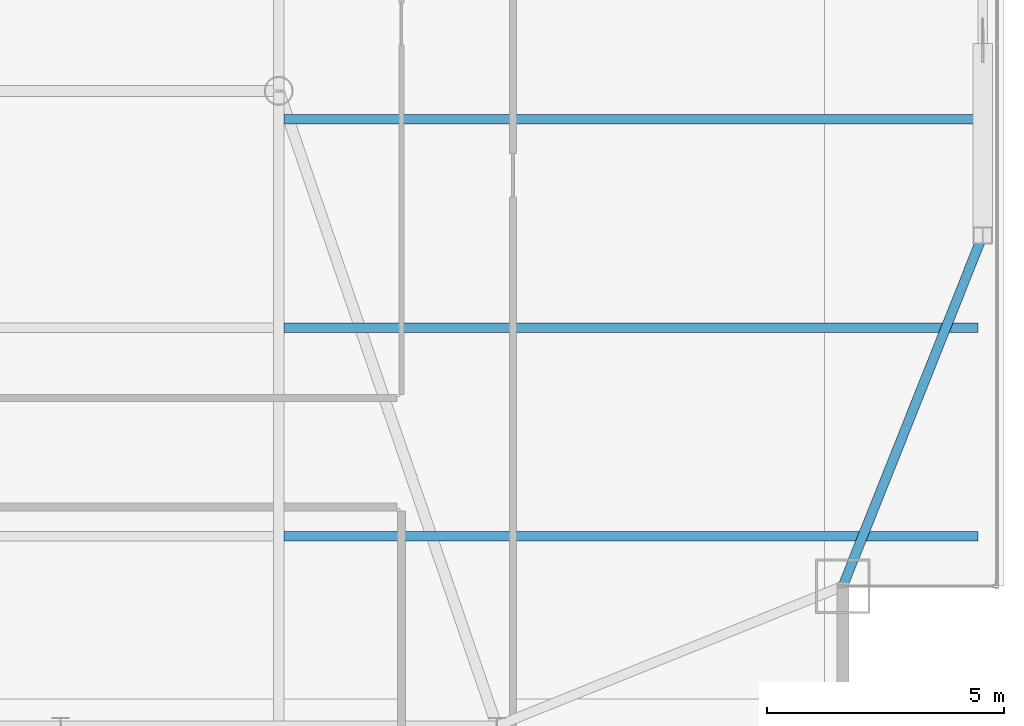
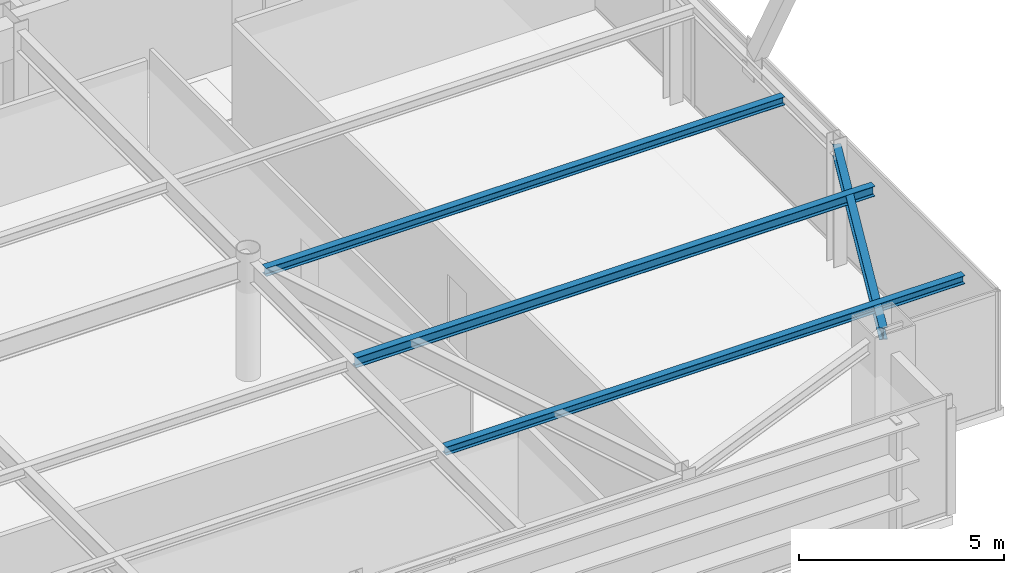
# One storey, part 13 of 27: 4 beams.
"""IFC4 building model written with IfcOpenShell, lengths in metres."""

import ifcopenshell
import ifcopenshell.guid

model = None  # the IFC model being written
_history = None  # IfcOwnerHistory: only IFC2X3 demands one
_inside = {}  # id of a spatial element -> (the spatial element, [elements in it])
_under = {}  # id of a project, library or spatial element -> (it, [spatial elements below it])
_declared = {}  # id of a project -> (the project, [libraries it declares])
_typed = {}  # id of a type object -> (the type object, [elements of that type])
_made_of = {}  # id of a material, layer set ... -> (it, [elements and type objects made of it])


def new_model(schema):
    """Start an empty IFC model of exactly this schema.

    Asked for "IFC4X3", IfcOpenShell would pick the latest addendum, in which some entities
    have other attributes; the version numbers below select the first issue.
    IFC2X3 requires an IfcOwnerHistory on every rooted entity: one is made here for all.
    """
    global model, _history
    if schema == "IFC4X3":
        model = ifcopenshell.file(schema_version=(4, 3, 0, 0))
    else:
        model = ifcopenshell.file(schema=schema)
    _inside.clear()
    _under.clear()
    _declared.clear()
    _typed.clear()
    _made_of.clear()
    _history = None
    if model.schema == "IFC2X3":
        org = make("IfcOrganization", Name="unknown")
        user = make(
            "IfcPersonAndOrganization",
            ThePerson=make("IfcPerson", FamilyName="unknown"),
            TheOrganization=org,
        )
        app = make(
            "IfcApplication",
            ApplicationDeveloper=org,
            Version="unknown",
            ApplicationFullName="unknown",
            ApplicationIdentifier="unknown",
        )
        _history = make(
            "IfcOwnerHistory",
            OwningUser=user,
            OwningApplication=app,
            ChangeAction="ADDED",
            CreationDate=0,
        )
    return model


def make(cls, **values):
    """One entity of the class cls with the attributes given. An attribute that is None is left unset."""
    return model.create_entity(
        cls, **{name: value for name, value in values.items() if value is not None}
    )


def rooted(cls, **values):
    """An entity with a GlobalId (a new one), such as an element, a storey or a relation."""
    return make(cls, GlobalId=ifcopenshell.guid.new(), OwnerHistory=_history, **values)


def si_unit(unit_type, name, prefix=None):
    """IfcSIUnit, for example si_unit("LENGTHUNIT", "METRE", prefix="MILLI")."""
    return make("IfcSIUnit", UnitType=unit_type, Prefix=prefix, Name=name)


def assignment(units):
    """IfcUnitAssignment: the units of a project."""
    return None if units is None else make("IfcUnitAssignment", Units=units)


def point(xyz):
    """IfcCartesianPoint."""
    return None if xyz is None else make("IfcCartesianPoint", Coordinates=xyz)


def direction(xyz):
    """IfcDirection."""
    return None if xyz is None else make("IfcDirection", DirectionRatios=xyz)


def frame(location, z_axis=None, x_axis=None):
    """IfcAxis2Placement3D, a coordinate frame: its origin and axes. An axis left out is left unset."""
    return make(
        "IfcAxis2Placement3D",
        Location=point(location),
        Axis=direction(z_axis),
        RefDirection=direction(x_axis),
    )


def frame_2d(location, x_axis=None):
    """IfcAxis2Placement2D, a coordinate frame in the plane: its origin and x axis."""
    return make(
        "IfcAxis2Placement2D", Location=point(location), RefDirection=direction(x_axis)
    )


def origin():
    """The frame at (0, 0, 0) with its axes left unset."""
    return frame((0.0, 0.0, 0.0))


def origin_2d():
    """The frame at (0, 0) in the plane with its x axis left unset."""
    return frame_2d((0.0, 0.0))


def place(relative_to, where):
    """IfcLocalPlacement: puts the frame where relative to a parent placement (None: the world)."""
    return make(
        "IfcLocalPlacement", PlacementRelTo=relative_to, RelativePlacement=where
    )


def context(
    kind, dimensions, precision=None, world=None, true_north=None, identifier=None
):
    """IfcGeometricRepresentationContext, for example the 3D "Model" context."""
    return make(
        "IfcGeometricRepresentationContext",
        ContextIdentifier=identifier,
        ContextType=kind,
        CoordinateSpaceDimension=dimensions,
        Precision=precision,
        WorldCoordinateSystem=world,
        TrueNorth=true_north,
    )


def subcontext(parent, identifier, kind, view, scale=None):
    """IfcGeometricRepresentationSubContext, for example "Body" below "Model"."""
    return make(
        "IfcGeometricRepresentationSubContext",
        ContextIdentifier=identifier,
        ContextType=kind,
        ParentContext=parent,
        TargetScale=scale,
        TargetView=view,
    )


def project(units=None, contexts=None):
    """IfcProject with its units and contexts."""
    return rooted(
        "IfcProject",
        Name="project",
        RepresentationContexts=contexts,
        UnitsInContext=assignment(units),
    )


def spatial(cls, under=None, at=None, **own):
    """A site, building, storey or space (cls), placed at a placement, below another one or the project."""
    s = rooted(cls, ObjectPlacement=at, **own)
    if under is not None:
        _under.setdefault(under.id(), (under, []))[1].append(s)
    return s


def profile(cls, at=None, kind="AREA", **sizes):
    """A parametric profile (cls). Its sizes go by their IFC names, for example OverallWidth=200.0."""
    return make(cls, ProfileType=kind, Position=at, **sizes)


def i_section(**sizes):
    """IfcIShapeProfileDef."""
    return profile("IfcIShapeProfileDef", **sizes)


def extrude(swept, where, along, depth):
    """IfcExtrudedAreaSolid: the profile swept, set in the frame where, extruded along a direction by depth."""
    return make(
        "IfcExtrudedAreaSolid",
        SweptArea=swept,
        Position=where,
        ExtrudedDirection=direction(along),
        Depth=depth,
    )


def shape(context_of_items, identifier, shape_type, items):
    """IfcShapeRepresentation: the items that make up one representation, for example the "Body"."""
    return make(
        "IfcShapeRepresentation",
        ContextOfItems=context_of_items,
        RepresentationIdentifier=identifier,
        RepresentationType=shape_type,
        Items=items,
    )


def source(mapping_origin, context_of_items, identifier, shape_type, items):
    """IfcRepresentationMap: a shape defined once, which mapped items show again and again."""
    return make(
        "IfcRepresentationMap",
        MappingOrigin=mapping_origin,
        MappedRepresentation=shape(context_of_items, identifier, shape_type, items),
    )


def transform(
    local_origin,
    x_axis=None,
    y_axis=None,
    z_axis=None,
    scale=None,
    scale2=None,
    scale3=None,
    uniform=True,
):
    """IfcCartesianTransformationOperator3D, or its non-uniform kind. x_axis, y_axis, z_axis: its Axis1, 2, 3."""
    if uniform:
        return make(
            "IfcCartesianTransformationOperator3D",
            Axis1=direction(x_axis),
            Axis2=direction(y_axis),
            LocalOrigin=point(local_origin),
            Scale=scale,
            Axis3=direction(z_axis),
        )
    return make(
        "IfcCartesianTransformationOperator3DnonUniform",
        Axis1=direction(x_axis),
        Axis2=direction(y_axis),
        LocalOrigin=point(local_origin),
        Scale=scale,
        Axis3=direction(z_axis),
        Scale2=scale2,
        Scale3=scale3,
    )


def mapped(mapping_source, mapping_target):
    """IfcMappedItem: shows the shape of a source again, moved by a transform."""
    return make(
        "IfcMappedItem", MappingSource=mapping_source, MappingTarget=mapping_target
    )


def material(Name=None, Category=None):
    """IfcMaterial."""
    return make("IfcMaterial", Name=Name, Category=Category)


def material_profile(
    of_material, cross_section, Name=None, Category=None, Priority=None
):
    """IfcMaterialProfile: a cross section and its material."""
    return make(
        "IfcMaterialProfile",
        Name=Name,
        Material=of_material,
        Profile=cross_section,
        Priority=Priority,
        Category=Category,
    )


def profile_set(profiles, Name=None, composite=None):
    """IfcMaterialProfileSet."""
    return make(
        "IfcMaterialProfileSet",
        Name=Name,
        MaterialProfiles=profiles,
        CompositeProfile=composite,
    )


def made_of(thing, what):
    """Note that an element or type object is made of a material, layer set ...; save() writes the relation."""
    if what is not None:
        _made_of.setdefault(what.id(), (what, []))[1].append(thing)
    return thing


def type_object(cls, material=None, **own):
    """A type object (cls), such as IfcWallType, which elements share."""
    return made_of(rooted(cls, **own), material)


def type_shapes(of_type, sources):
    """Give a type object the sources (RepresentationMaps) that its elements show as mapped items."""
    of_type.RepresentationMaps = sources


def element(
    cls,
    number,
    at=None,
    inside=None,
    cuts=None,
    type_object=None,
    material=None,
    context=None,
    identifier="Body",
    shape_type=None,
    held_by="IfcProductDefinitionShape",
    body=None,
    shapes=None,
    **own,
):
    """One element of the class cls, such as IfcWall. Its Tag is "e" and its number.

    at: its placement. inside: the storey or other place that contains it. cuts: it is an
    opening in that element (IfcRelVoidsElement). A single representation is given by context,
    identifier, shape_type and body (its items); several are given by shapes. held_by: the class
    of the entity that holds the representations. save() writes the other relations.
    """
    e = rooted(cls, Tag="e%d" % number, ObjectPlacement=at, **own)
    if body is not None:
        shapes = [shape(context, identifier, shape_type, body)]
    if shapes is not None:
        e.Representation = make(held_by, Representations=shapes)
    if inside is not None:
        _inside.setdefault(inside.id(), (inside, []))[1].append(e)
    if cuts is not None:
        rooted(
            "IfcRelVoidsElement", RelatingBuildingElement=cuts, RelatedOpeningElement=e
        )
    if type_object is not None:
        _typed.setdefault(type_object.id(), (type_object, []))[1].append(e)
    return made_of(e, material)


def aggregate(whole, parts):
    """IfcRelAggregates: a whole, such as a stair, and the parts it consists of."""
    return rooted("IfcRelAggregates", RelatingObject=whole, RelatedObjects=parts)


def save(model, path):
    """Write the relations noted so far, then the file.

    IfcRelAggregates (storeys below a building ...), IfcRelContainedInSpatialStructure (elements
    in a storey), IfcRelDefinesByType, IfcRelAssociatesMaterial and IfcRelDeclares: one each for
    every whole, place, type object, material and project.
    """
    for whole, parts in _under.values():
        aggregate(whole, parts)
    for where, things in _inside.values():
        rooted(
            "IfcRelContainedInSpatialStructure",
            RelatedElements=things,
            RelatingStructure=where,
        )
    for kind, things in _typed.values():
        rooted("IfcRelDefinesByType", RelatedObjects=things, RelatingType=kind)
    for what, things in _made_of.values():
        rooted("IfcRelAssociatesMaterial", RelatedObjects=things, RelatingMaterial=what)
    for by, libraries in _declared.values():
        rooted("IfcRelDeclares", RelatingContext=by, RelatedDefinitions=libraries)
    model.write(path)


model = new_model("IFC4")

# Units and contexts
model_context = context("Model", 3, precision=1e-05, world=origin(), true_north=direction((0.0, 1.0)))
body_context = subcontext(model_context, "Body", "Model", "MODEL_VIEW")
ifc_project = project(units=[si_unit("LENGTHUNIT", "METRE"), si_unit("AREAUNIT", "SQUARE_METRE"), si_unit("VOLUMEUNIT", "CUBIC_METRE"), si_unit("PLANEANGLEUNIT", "RADIAN"), si_unit("MASSUNIT", "GRAM", prefix="KILO")], contexts=[model_context])

# Site, building, storey
site_placement = place(None, origin())
site = spatial("IfcSite", under=ifc_project, at=site_placement, CompositionType="ELEMENT")
building_placement = place(site_placement, origin())
building = spatial("IfcBuilding", under=site, at=building_placement, Name="Varnel Quay Broadcast Tower", CompositionType="ELEMENT")
storey_placement = place(building_placement, frame((0.0, 0.0, 203.60009765625)))
storey = spatial("IfcBuildingStorey", under=building, at=storey_placement, Name="L50", CompositionType="ELEMENT", Elevation=203.60009765625)

# Beams
ifc_material = material(Name="Structural Steel CSA G40.21 350W", Category="steel")
ifc_material_profile_1 = material_profile(ifc_material, i_section(OverallWidth=0.205078125, OverallDepth=0.35400390625, WebThickness=0.009521484375, FlangeThickness=0.016845703125, FilletRadius=0.012939453125, at=origin_2d()), Name="W360X79")
ifc_profile_set_1 = profile_set([ifc_material_profile_1], Name="Structural Steel CSA G40.21 350W")
beam_type_1 = type_object("IfcBeamType", Name="Beam_W360X79", PredefinedType="SPANDREL", material=ifc_profile_set_1)
shared_shape_1 = source(origin(), body_context, "Body", "SweptSolid", [
    extrude(i_section(OverallWidth=0.205078125, OverallDepth=0.35400390625, WebThickness=0.009521484375, FlangeThickness=0.016845703125, FilletRadius=0.012939453125, at=origin_2d()), origin(), (0.0, 0.0, 1.0), 7.92626953125),
])
type_shapes(beam_type_1, [shared_shape_1])
beam_1_placement = place(storey_placement, frame((55.107421875, 13.61865234375, 3.372802734375), z_axis=(0.370296431883, 0.928913641053, 0.0), x_axis=(-0.928913641053, 0.370296431883, 0.0)))
element("IfcBeam", 1, at=beam_1_placement, inside=storey, type_object=beam_type_1, Name="L50 East Spandrel MC-SE-TC-E1", PredefinedType="SPANDREL", context=body_context, shape_type="MappedRepresentation", body=[
    mapped(shared_shape_1, transform((0.0, 0.0, 0.0), x_axis=(1.0, 0.0, 0.0), y_axis=(0.0, 1.0, 0.0), z_axis=(0.0, 0.0, 1.0), scale=1.0)),
])
ifc_material_profile_2 = material_profile(ifc_material, i_section(OverallWidth=0.201904296875, OverallDepth=0.2470703125, WebThickness=0.00732421875, FlangeThickness=0.010986328125, FilletRadius=0.010986328125, at=origin_2d()), Name="W250X49")
ifc_profile_set_2 = profile_set([ifc_material_profile_2], Name="Structural Steel CSA G40.21 350W")
beam_type_2 = type_object("IfcBeamType", Name="Beam_W250X49", PredefinedType="JOIST", material=ifc_profile_set_2)
shared_shape_2 = source(origin(), body_context, "Body", "SweptSolid", [
    extrude(i_section(OverallWidth=0.201904296875, OverallDepth=0.2470703125, WebThickness=0.00732421875, FlangeThickness=0.010986328125, FilletRadius=0.010986328125, at=origin_2d()), origin(), (0.0, 0.0, 1.0), 14.642333984375),
])
type_shapes(beam_type_2, [shared_shape_2])
for number, where, z_axis, x_axis, name in (
    (2, (43.31005859375, 14.64990234375, 3.426513671875), (1.0, 0.0, 0.0), (0.0, 1.0, 0.0), "L50 East Floor Joist 1"),
    (3, (43.31005859375, 23.449951171875, 3.426513671875), (1.0, 0.0, 0.0), (0.0, 1.0, 0.0), "L50 East Floor Joist 3"),
):
    element("IfcBeam", number, at=place(storey_placement, frame(where, z_axis=z_axis, x_axis=x_axis)), inside=storey, type_object=beam_type_2, Name=name, PredefinedType="JOIST", context=body_context, shape_type="MappedRepresentation", body=[
        mapped(shared_shape_2, transform((0.0, 0.0, 0.0), x_axis=(1.0, 0.0, 0.0), y_axis=(0.0, 1.0, 0.0), z_axis=(0.0, 0.0, 1.0), scale=1.0)),
    ])
ifc_material_profile_3 = material_profile(ifc_material, i_section(OverallWidth=0.202880859375, OverallDepth=0.302978515625, WebThickness=0.007568359375, FlangeThickness=0.01318359375, FilletRadius=0.011962890625, at=origin_2d()), Name="W310X60")
ifc_profile_set_3 = profile_set([ifc_material_profile_3], Name="Structural Steel CSA G40.21 350W")
beam_type_3 = type_object("IfcBeamType", Name="Beam_W310X60", PredefinedType="JOIST", material=ifc_profile_set_3)
shared_shape_3 = source(origin(), body_context, "Body", "SweptSolid", [
    extrude(i_section(OverallWidth=0.202880859375, OverallDepth=0.302978515625, WebThickness=0.007568359375, FlangeThickness=0.01318359375, FilletRadius=0.011962890625, at=origin_2d()), origin(), (0.0, 0.0, 1.0), 14.642333984375),
])
type_shapes(beam_type_3, [shared_shape_3])
beam_2_placement = place(storey_placement, frame((43.31005859375, 19.050048828125, 3.3984375), z_axis=(1.0, 0.0, 0.0), x_axis=(0.0, 1.0, 0.0)))
element("IfcBeam", 4, at=beam_2_placement, inside=storey, type_object=beam_type_3, Name="L50 East Floor Joist 2", PredefinedType="JOIST", context=body_context, shape_type="MappedRepresentation", body=[
    mapped(shared_shape_3, transform((0.0, 0.0, 0.0), x_axis=(1.0, 0.0, 0.0), y_axis=(0.0, 1.0, 0.0), z_axis=(0.0, 0.0, 1.0), scale=1.0)),
])

save(model, "model.ifc")
